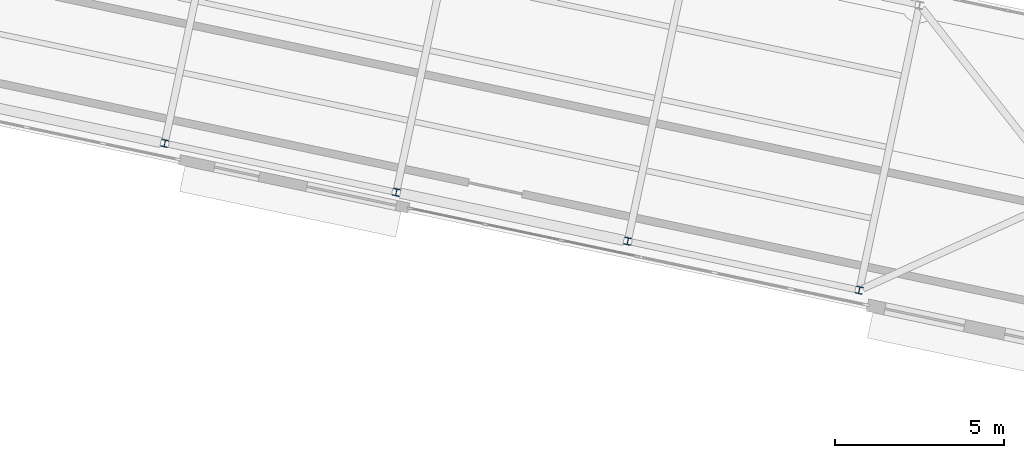
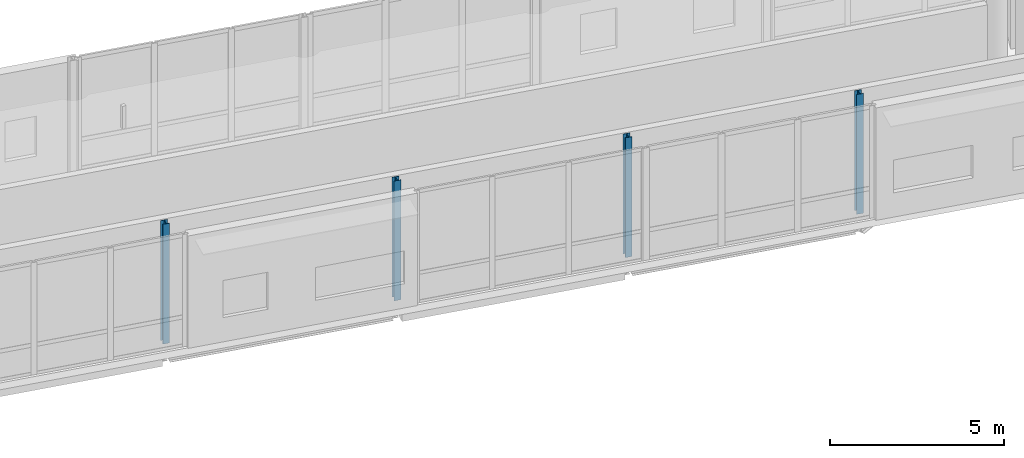
# One storey, part 6 of 125: 4 columns.
"""IFC4 building model written with IfcOpenShell, lengths in metres."""

from ifc_helpers import new_model, si_unit, direction, frame, origin, origin_2d, place, context, subcontext, project, spatial, i_section, extrude, material, material_profile, profile_set, type_object, element, save


model = new_model("IFC4")

# Units and contexts
model_context = context("Model", 3, precision=1e-05, world=origin(), true_north=direction((0.0, 1.0)))
body_context = subcontext(model_context, "Body", "Model", "MODEL_VIEW")
ifc_project = project(units=[si_unit("LENGTHUNIT", "METRE"), si_unit("AREAUNIT", "SQUARE_METRE"), si_unit("VOLUMEUNIT", "CUBIC_METRE"), si_unit("PLANEANGLEUNIT", "RADIAN"), si_unit("MASSUNIT", "GRAM", prefix="KILO")], contexts=[model_context])

# Site, building, storey
site_placement = place(None, origin())
site = spatial("IfcSite", under=ifc_project, at=site_placement, CompositionType="ELEMENT")
building_placement = place(site_placement, origin())
building = spatial("IfcBuilding", under=site, at=building_placement, Name="Wrenclough Park School", CompositionType="ELEMENT")
storey_placement = place(building_placement, frame((0.0, 0.0, 4.199951171875)))
storey = spatial("IfcBuildingStorey", under=building, at=storey_placement, Name="L01", CompositionType="ELEMENT", Elevation=4.199951171875)

# Columns
ifc_material = material(Name="Structural steel S355", Category="steel")
ifc_material_profile = material_profile(ifc_material, i_section(OverallWidth=0.205810546875, OverallDepth=0.209716796875, WebThickness=0.009521484375, FlangeThickness=0.01416015625, FilletRadius=0.01025390625, at=origin_2d()), Name="UKC 203x203x60")
ifc_profile_set = profile_set([ifc_material_profile], Name="Structural steel S355")
column_type = type_object("IfcColumnType", Name="STR-COL-UKC203B", PredefinedType="COLUMN", material=ifc_profile_set)
for number, where, z_axis, x_axis, name in (
    (1, (106.77734375, 32.404052734375, 0.0), (0.0, 0.0, 1.0), (0.978364788978, -0.206887263232, 0.0), "W12 L01 column W12-C2-R02"),
    (2, (113.610595703125, 30.959716796875, 0.0), (0.0, 0.0, 1.0), (0.978364788978, -0.206887263232, 0.0), "W12 L01 column W12-C2-R03"),
    (3, (120.444091796875, 29.51513671875, 0.0), (0.0, 0.0, 1.0), (0.978364788978, -0.206887263232, 0.0), "W12 L01 column W12-C2-R04"),
    (4, (127.27734375, 28.07080078125, 0.0), (0.0, 0.0, 1.0), (0.978364788978, -0.206887263232, 0.0), "W12 L01 column W12-C2-R05"),
):
    element("IfcColumn", number, at=place(storey_placement, frame(where, z_axis=z_axis, x_axis=x_axis)), inside=storey, type_object=column_type, Name=name, PredefinedType="COLUMN", context=body_context, shape_type="SweptSolid", body=[
        extrude(i_section(OverallWidth=0.205810546875, OverallDepth=0.209716796875, WebThickness=0.009521484375, FlangeThickness=0.01416015625, FilletRadius=0.01025390625, at=origin_2d()), origin(), (0.0, 0.0, 1.0), 4.199951171875),
    ])

save(model, "model.ifc")
